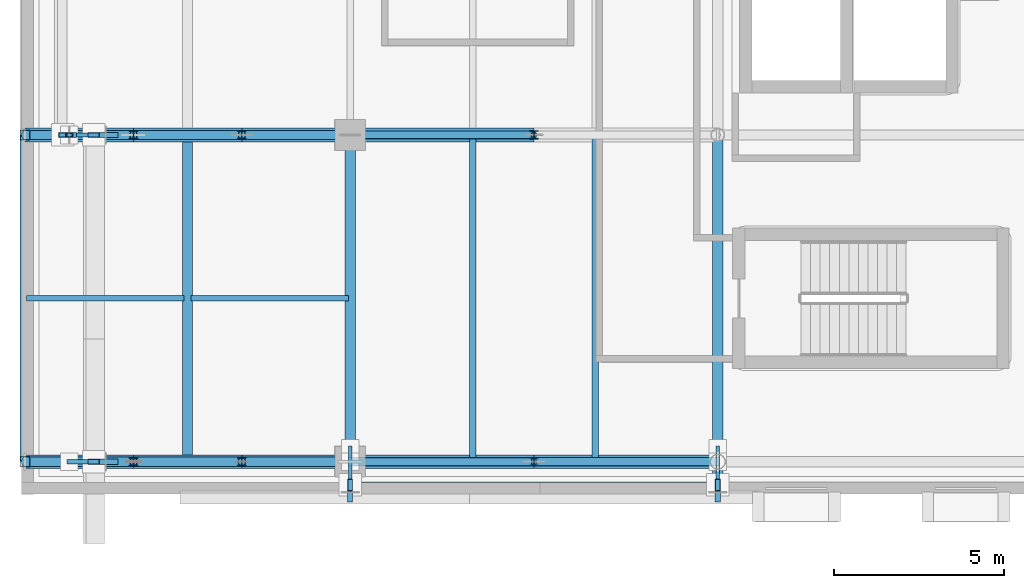
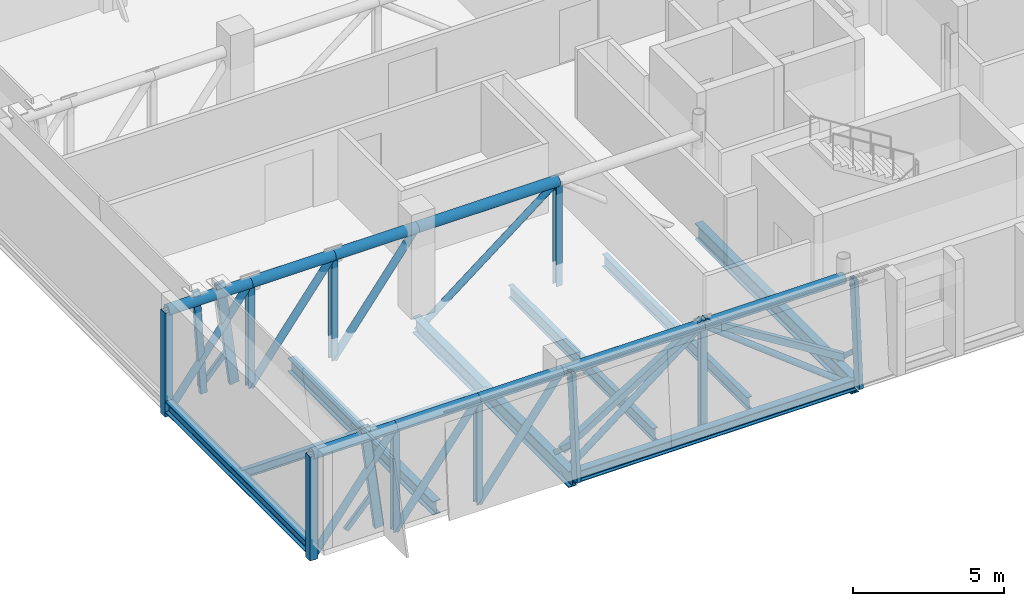
# One storey, part 10 of 89: 38 members, 9 beams.
"""IFC4 building model written with IfcOpenShell, lengths in metres."""

import ifcopenshell
import ifcopenshell.guid

model = None  # the IFC model being written
_history = None  # IfcOwnerHistory: only IFC2X3 demands one
_inside = {}  # id of a spatial element -> (the spatial element, [elements in it])
_under = {}  # id of a project, library or spatial element -> (it, [spatial elements below it])
_declared = {}  # id of a project -> (the project, [libraries it declares])
_typed = {}  # id of a type object -> (the type object, [elements of that type])
_made_of = {}  # id of a material, layer set ... -> (it, [elements and type objects made of it])


def new_model(schema):
    """Start an empty IFC model of exactly this schema.

    Asked for "IFC4X3", IfcOpenShell would pick the latest addendum, in which some entities
    have other attributes; the version numbers below select the first issue.
    IFC2X3 requires an IfcOwnerHistory on every rooted entity: one is made here for all.
    """
    global model, _history
    if schema == "IFC4X3":
        model = ifcopenshell.file(schema_version=(4, 3, 0, 0))
    else:
        model = ifcopenshell.file(schema=schema)
    _inside.clear()
    _under.clear()
    _declared.clear()
    _typed.clear()
    _made_of.clear()
    _history = None
    if model.schema == "IFC2X3":
        org = make("IfcOrganization", Name="unknown")
        user = make(
            "IfcPersonAndOrganization",
            ThePerson=make("IfcPerson", FamilyName="unknown"),
            TheOrganization=org,
        )
        app = make(
            "IfcApplication",
            ApplicationDeveloper=org,
            Version="unknown",
            ApplicationFullName="unknown",
            ApplicationIdentifier="unknown",
        )
        _history = make(
            "IfcOwnerHistory",
            OwningUser=user,
            OwningApplication=app,
            ChangeAction="ADDED",
            CreationDate=0,
        )
    return model


def make(cls, **values):
    """One entity of the class cls with the attributes given. An attribute that is None is left unset."""
    return model.create_entity(
        cls, **{name: value for name, value in values.items() if value is not None}
    )


def rooted(cls, **values):
    """An entity with a GlobalId (a new one), such as an element, a storey or a relation."""
    return make(cls, GlobalId=ifcopenshell.guid.new(), OwnerHistory=_history, **values)


def si_unit(unit_type, name, prefix=None):
    """IfcSIUnit, for example si_unit("LENGTHUNIT", "METRE", prefix="MILLI")."""
    return make("IfcSIUnit", UnitType=unit_type, Prefix=prefix, Name=name)


def assignment(units):
    """IfcUnitAssignment: the units of a project."""
    return None if units is None else make("IfcUnitAssignment", Units=units)


def point(xyz):
    """IfcCartesianPoint."""
    return None if xyz is None else make("IfcCartesianPoint", Coordinates=xyz)


def direction(xyz):
    """IfcDirection."""
    return None if xyz is None else make("IfcDirection", DirectionRatios=xyz)


def frame(location, z_axis=None, x_axis=None):
    """IfcAxis2Placement3D, a coordinate frame: its origin and axes. An axis left out is left unset."""
    return make(
        "IfcAxis2Placement3D",
        Location=point(location),
        Axis=direction(z_axis),
        RefDirection=direction(x_axis),
    )


def frame_2d(location, x_axis=None):
    """IfcAxis2Placement2D, a coordinate frame in the plane: its origin and x axis."""
    return make(
        "IfcAxis2Placement2D", Location=point(location), RefDirection=direction(x_axis)
    )


def origin():
    """The frame at (0, 0, 0) with its axes left unset."""
    return frame((0.0, 0.0, 0.0))


def origin_2d():
    """The frame at (0, 0) in the plane with its x axis left unset."""
    return frame_2d((0.0, 0.0))


def place(relative_to, where):
    """IfcLocalPlacement: puts the frame where relative to a parent placement (None: the world)."""
    return make(
        "IfcLocalPlacement", PlacementRelTo=relative_to, RelativePlacement=where
    )


def context(
    kind, dimensions, precision=None, world=None, true_north=None, identifier=None
):
    """IfcGeometricRepresentationContext, for example the 3D "Model" context."""
    return make(
        "IfcGeometricRepresentationContext",
        ContextIdentifier=identifier,
        ContextType=kind,
        CoordinateSpaceDimension=dimensions,
        Precision=precision,
        WorldCoordinateSystem=world,
        TrueNorth=true_north,
    )


def subcontext(parent, identifier, kind, view, scale=None):
    """IfcGeometricRepresentationSubContext, for example "Body" below "Model"."""
    return make(
        "IfcGeometricRepresentationSubContext",
        ContextIdentifier=identifier,
        ContextType=kind,
        ParentContext=parent,
        TargetScale=scale,
        TargetView=view,
    )


def project(units=None, contexts=None):
    """IfcProject with its units and contexts."""
    return rooted(
        "IfcProject",
        Name="project",
        RepresentationContexts=contexts,
        UnitsInContext=assignment(units),
    )


def spatial(cls, under=None, at=None, **own):
    """A site, building, storey or space (cls), placed at a placement, below another one or the project."""
    s = rooted(cls, ObjectPlacement=at, **own)
    if under is not None:
        _under.setdefault(under.id(), (under, []))[1].append(s)
    return s


def profile(cls, at=None, kind="AREA", **sizes):
    """A parametric profile (cls). Its sizes go by their IFC names, for example OverallWidth=200.0."""
    return make(cls, ProfileType=kind, Position=at, **sizes)


def hollow_rectangle(**sizes):
    """IfcRectangleHollowProfileDef."""
    return profile("IfcRectangleHollowProfileDef", **sizes)


def hollow_circle(**sizes):
    """IfcCircleHollowProfileDef."""
    return profile("IfcCircleHollowProfileDef", **sizes)


def i_section(**sizes):
    """IfcIShapeProfileDef."""
    return profile("IfcIShapeProfileDef", **sizes)


def extrude(swept, where, along, depth):
    """IfcExtrudedAreaSolid: the profile swept, set in the frame where, extruded along a direction by depth."""
    return make(
        "IfcExtrudedAreaSolid",
        SweptArea=swept,
        Position=where,
        ExtrudedDirection=direction(along),
        Depth=depth,
    )


def shape(context_of_items, identifier, shape_type, items):
    """IfcShapeRepresentation: the items that make up one representation, for example the "Body"."""
    return make(
        "IfcShapeRepresentation",
        ContextOfItems=context_of_items,
        RepresentationIdentifier=identifier,
        RepresentationType=shape_type,
        Items=items,
    )


def material(Name=None, Category=None):
    """IfcMaterial."""
    return make("IfcMaterial", Name=Name, Category=Category)


def material_profile(
    of_material, cross_section, Name=None, Category=None, Priority=None
):
    """IfcMaterialProfile: a cross section and its material."""
    return make(
        "IfcMaterialProfile",
        Name=Name,
        Material=of_material,
        Profile=cross_section,
        Priority=Priority,
        Category=Category,
    )


def profile_set(profiles, Name=None, composite=None):
    """IfcMaterialProfileSet."""
    return make(
        "IfcMaterialProfileSet",
        Name=Name,
        MaterialProfiles=profiles,
        CompositeProfile=composite,
    )


def made_of(thing, what):
    """Note that an element or type object is made of a material, layer set ...; save() writes the relation."""
    if what is not None:
        _made_of.setdefault(what.id(), (what, []))[1].append(thing)
    return thing


def type_object(cls, material=None, **own):
    """A type object (cls), such as IfcWallType, which elements share."""
    return made_of(rooted(cls, **own), material)


def element(
    cls,
    number,
    at=None,
    inside=None,
    cuts=None,
    type_object=None,
    material=None,
    context=None,
    identifier="Body",
    shape_type=None,
    held_by="IfcProductDefinitionShape",
    body=None,
    shapes=None,
    **own,
):
    """One element of the class cls, such as IfcWall. Its Tag is "e" and its number.

    at: its placement. inside: the storey or other place that contains it. cuts: it is an
    opening in that element (IfcRelVoidsElement). A single representation is given by context,
    identifier, shape_type and body (its items); several are given by shapes. held_by: the class
    of the entity that holds the representations. save() writes the other relations.
    """
    e = rooted(cls, Tag="e%d" % number, ObjectPlacement=at, **own)
    if body is not None:
        shapes = [shape(context, identifier, shape_type, body)]
    if shapes is not None:
        e.Representation = make(held_by, Representations=shapes)
    if inside is not None:
        _inside.setdefault(inside.id(), (inside, []))[1].append(e)
    if cuts is not None:
        rooted(
            "IfcRelVoidsElement", RelatingBuildingElement=cuts, RelatedOpeningElement=e
        )
    if type_object is not None:
        _typed.setdefault(type_object.id(), (type_object, []))[1].append(e)
    return made_of(e, material)


def aggregate(whole, parts):
    """IfcRelAggregates: a whole, such as a stair, and the parts it consists of."""
    return rooted("IfcRelAggregates", RelatingObject=whole, RelatedObjects=parts)


def save(model, path):
    """Write the relations noted so far, then the file.

    IfcRelAggregates (storeys below a building ...), IfcRelContainedInSpatialStructure (elements
    in a storey), IfcRelDefinesByType, IfcRelAssociatesMaterial and IfcRelDeclares: one each for
    every whole, place, type object, material and project.
    """
    for whole, parts in _under.values():
        aggregate(whole, parts)
    for where, things in _inside.values():
        rooted(
            "IfcRelContainedInSpatialStructure",
            RelatedElements=things,
            RelatingStructure=where,
        )
    for kind, things in _typed.values():
        rooted("IfcRelDefinesByType", RelatedObjects=things, RelatingType=kind)
    for what, things in _made_of.values():
        rooted("IfcRelAssociatesMaterial", RelatedObjects=things, RelatingMaterial=what)
    for by, libraries in _declared.values():
        rooted("IfcRelDeclares", RelatingContext=by, RelatedDefinitions=libraries)
    model.write(path)


model = new_model("IFC4")

# Units and contexts
model_context = context("Model", 3, precision=1e-05, world=origin(), true_north=direction((0.0, 1.0)))
body_context = subcontext(model_context, "Body", "Model", "MODEL_VIEW")
ifc_project = project(units=[si_unit("LENGTHUNIT", "METRE"), si_unit("AREAUNIT", "SQUARE_METRE"), si_unit("VOLUMEUNIT", "CUBIC_METRE"), si_unit("PLANEANGLEUNIT", "RADIAN"), si_unit("MASSUNIT", "GRAM", prefix="KILO")], contexts=[model_context])

# Site, building, storey
site_placement = place(None, origin())
site = spatial("IfcSite", under=ifc_project, at=site_placement, CompositionType="ELEMENT")
building_placement = place(site_placement, origin())
building = spatial("IfcBuilding", under=site, at=building_placement, Name="Zereglee Splitstone Museum", CompositionType="ELEMENT")
storey_placement = place(building_placement, frame((0.0, 0.0, 21.300048828125)))
storey = spatial("IfcBuildingStorey", under=building, at=storey_placement, Name="L04", CompositionType="ELEMENT", Elevation=21.300048828125)

# Members
ifc_material_1 = material(Name="Steel S355J2H", Category="steel")
ifc_material_profile_1 = material_profile(ifc_material_1, hollow_circle(Radius=0.122314453125, WallThickness=0.012451171875, at=origin_2d()), Name="CHS 244.5x12.5")
ifc_profile_set_1 = profile_set([ifc_material_profile_1], Name="Steel S355J2H")
member_type_1 = type_object("IfcMemberType", Name="TB-02", PredefinedType="BRACE", material=ifc_profile_set_1)
for number, where, z_axis, x_axis, name in (
    (1, (9.60009765625, 0.0, -0.900146484375), (0.78933300072, 0.0, 0.613965319847), (0.0, 1.0, 0.0), "Cantilever Truss CT-01 Web Brace L04-4"),
    (2, (20.39990234375, 0.0, -0.900146484375), (-0.78933300072, 0.0, 0.613965319847), (0.0, -1.0, 0.0), "Cantilever Truss CT-01 Web Brace L04-5"),
    (3, (9.60009765625, 9.60009765625, -0.900146484375), (0.78933300072, 0.0, 0.613965319847), (0.0, 1.0, 0.0), "Cantilever Truss CT-02 Web Brace L04-4"),
):
    element("IfcMember", number, at=place(storey_placement, frame(where, z_axis=z_axis, x_axis=x_axis)), inside=storey, type_object=member_type_1, Name=name, PredefinedType="BRACE", context=body_context, shape_type="SweptSolid", body=[
        extrude(hollow_circle(Radius=0.122314453125, WallThickness=0.012451171875, at=origin_2d()), origin(), (0.0, 0.0, 1.0), 6.841064453125),
    ])
ifc_material_profile_2 = material_profile(ifc_material_1, hollow_circle(Radius=0.136474609375, WallThickness=0.012451171875, at=origin_2d()), Name="CHS 273.0x12.5")
ifc_profile_set_2 = profile_set([ifc_material_profile_2], Name="Steel S355J2H")
member_type_2 = type_object("IfcMemberType", Name="TB-01", PredefinedType="BRACE", material=ifc_profile_set_2)
for number, where, z_axis, x_axis, name in (
    (4, (0.050048828125, 0.0, -0.900146484375), (0.604024459, 0.0, 0.79696577902), (0.0, 1.0, 0.0), "Cantilever Truss CT-01 Web Brace L04-1"),
    (5, (3.2333984375, 0.0, -0.900146484375), (0.604024459, 0.0, 0.79696577902), (0.0, 1.0, 0.0), "Cantilever Truss CT-01 Web Brace L04-2"),
    (6, (6.416748046875, 0.0, -0.900146484375), (0.604024459, 0.0, 0.79696577902), (0.0, 1.0, 0.0), "Cantilever Truss CT-01 Web Brace L04-3"),
    (7, (0.050048828125, 9.60009765625, -0.900146484375), (0.604024459, 0.0, 0.79696577902), (0.0, 1.0, 0.0), "Cantilever Truss CT-02 Web Brace L04-1"),
    (8, (3.2333984375, 9.60009765625, -0.900146484375), (0.604024459, 0.0, 0.79696577902), (0.0, 1.0, 0.0), "Cantilever Truss CT-02 Web Brace L04-2"),
    (9, (6.416748046875, 9.60009765625, -0.900146484375), (0.604024459, 0.0, 0.79696577902), (0.0, 1.0, 0.0), "Cantilever Truss CT-02 Web Brace L04-3"),
):
    element("IfcMember", number, at=place(storey_placement, frame(where, z_axis=z_axis, x_axis=x_axis)), inside=storey, type_object=member_type_2, Name=name, PredefinedType="BRACE", context=body_context, shape_type="SweptSolid", body=[
        extrude(hollow_circle(Radius=0.136474609375, WallThickness=0.012451171875, at=origin_2d()), origin(), (0.0, 0.0, 1.0), 5.270263671875),
    ])
ifc_material_profile_3 = material_profile(ifc_material_1, hollow_rectangle(XDim=0.25, YDim=0.25, WallThickness=0.012451171875, at=origin_2d()), Name="SHS 250x250x12.5")
ifc_profile_set_3 = profile_set([ifc_material_profile_3], Name="Steel S355J2H")
member_type_3 = type_object("IfcMemberType", Name="TB-06", PredefinedType="BRACE", material=ifc_profile_set_3)
for number, where, z_axis, x_axis, name in (
    (10, (9.60009765625, 0.0, 0.119873046875), (0.849044741702, 0.0, 0.528320950359), (0.0, 1.0, 0.0), "Lateral Braced Frame Chevron L04-004A"),
    (11, (20.39990234375, 0.0, 0.119873046875), (-0.849044741702, 0.0, 0.528320950359), (0.0, -1.0, 0.0), "Lateral Braced Frame Chevron L04-004B"),
):
    element("IfcMember", number, at=place(storey_placement, frame(where, z_axis=z_axis, x_axis=x_axis)), inside=storey, type_object=member_type_3, Name=name, PredefinedType="BRACE", context=body_context, shape_type="SweptSolid", body=[
        extrude(hollow_rectangle(XDim=0.25, YDim=0.25, WallThickness=0.012451171875, at=origin_2d()), origin(), (0.0, 0.0, 1.0), 6.35986328125),
    ])
ifc_material_profile_4 = material_profile(ifc_material_1, hollow_circle(Radius=0.203125, WallThickness=0.02001953125, at=origin_2d()), Name="CHS 406.4x20")
ifc_profile_set_4 = profile_set([ifc_material_profile_4], Name="Steel S355J2H")
member_type_4 = type_object("IfcMemberType", Name="TC-03", PredefinedType="CHORD", material=ifc_profile_set_4)
for number, where, z_axis, x_axis, name in (
    (12, (0.050048828125, 0.0, 3.300048828125), (1.0, 0.0, 0.0), (0.0, 1.0, 0.0), "Cantilever Truss CT-01 Top Chord L04-1"),
    (13, (3.2333984375, 0.0, 3.300048828125), (1.0, 0.0, 0.0), (0.0, 1.0, 0.0), "Cantilever Truss CT-01 Top Chord L04-2"),
    (14, (6.416748046875, 0.0, 3.300048828125), (1.0, 0.0, 0.0), (0.0, 1.0, 0.0), "Cantilever Truss CT-01 Top Chord L04-3"),
):
    element("IfcMember", number, at=place(storey_placement, frame(where, z_axis=z_axis, x_axis=x_axis)), inside=storey, type_object=member_type_4, Name=name, PredefinedType="CHORD", context=body_context, shape_type="SweptSolid", body=[
        extrude(hollow_circle(Radius=0.203125, WallThickness=0.02001953125, at=origin_2d()), origin(), (0.0, 0.0, 1.0), 3.183349609375),
    ])
for number, where, z_axis, x_axis, name in (
    (15, (9.60009765625, 0.0, 3.300048828125), (1.0, 0.0, 0.0), (0.0, 1.0, 0.0), "Cantilever Truss CT-01 Top Chord L04-4"),
    (16, (15.0, 0.0, 3.300048828125), (1.0, 0.0, 0.0), (0.0, 1.0, 0.0), "Cantilever Truss CT-01 Top Chord L04-5"),
):
    element("IfcMember", number, at=place(storey_placement, frame(where, z_axis=z_axis, x_axis=x_axis)), inside=storey, type_object=member_type_4, Name=name, PredefinedType="CHORD", context=body_context, shape_type="SweptSolid", body=[
        extrude(hollow_circle(Radius=0.203125, WallThickness=0.02001953125, at=origin_2d()), origin(), (0.0, 0.0, 1.0), 5.39990234375),
    ])
for number, where, z_axis, x_axis, name in (
    (17, (0.050048828125, 9.60009765625, 3.300048828125), (1.0, 0.0, 0.0), (0.0, 1.0, 0.0), "Cantilever Truss CT-02 Top Chord L04-1"),
    (18, (3.2333984375, 9.60009765625, 3.300048828125), (1.0, 0.0, 0.0), (0.0, 1.0, 0.0), "Cantilever Truss CT-02 Top Chord L04-2"),
    (19, (6.416748046875, 9.60009765625, 3.300048828125), (1.0, 0.0, 0.0), (0.0, 1.0, 0.0), "Cantilever Truss CT-02 Top Chord L04-3"),
):
    element("IfcMember", number, at=place(storey_placement, frame(where, z_axis=z_axis, x_axis=x_axis)), inside=storey, type_object=member_type_4, Name=name, PredefinedType="CHORD", context=body_context, shape_type="SweptSolid", body=[
        extrude(hollow_circle(Radius=0.203125, WallThickness=0.02001953125, at=origin_2d()), origin(), (0.0, 0.0, 1.0), 3.183349609375),
    ])
member_1_placement = place(storey_placement, frame((9.60009765625, 9.60009765625, 3.300048828125), z_axis=(1.0, 0.0, 0.0), x_axis=(0.0, 1.0, 0.0)))
element("IfcMember", 20, at=member_1_placement, inside=storey, type_object=member_type_4, Name="Cantilever Truss CT-02 Top Chord L04-4", PredefinedType="CHORD", context=body_context, shape_type="SweptSolid", body=[
    extrude(hollow_circle(Radius=0.203125, WallThickness=0.02001953125, at=origin_2d()), origin(), (0.0, 0.0, 1.0), 5.39990234375),
])

# Beams
ifc_material_2 = material(Name="Steel S355J2", Category="steel")
ifc_material_profile_5 = material_profile(ifc_material_2, i_section(OverallWidth=0.300048828125, OverallDepth=0.550048828125, WebThickness=0.014892578125, FlangeThickness=0.029052734375, FilletRadius=0.027099609375, at=origin_2d()), Name="HE 550 B")
ifc_profile_set_5 = profile_set([ifc_material_profile_5], Name="Steel S355J2")
beam_type_1 = type_object("IfcBeamType", Name="BG-11", PredefinedType="BEAM", material=ifc_profile_set_5)
beam_1_placement = place(storey_placement, frame((4.824951171875, 0.0, -0.53515625), z_axis=(0.0, 1.0, 0.0), x_axis=(-1.0, 0.0, 0.0)))
element("IfcBeam", 21, at=beam_1_placement, inside=storey, type_object=beam_type_1, Name="Cantilever Transverse Girder L04 X=4.83", PredefinedType="BEAM", context=body_context, shape_type="SweptSolid", body=[
    extrude(i_section(OverallWidth=0.300048828125, OverallDepth=0.550048828125, WebThickness=0.014892578125, FlangeThickness=0.029052734375, FilletRadius=0.027099609375, at=origin_2d()), origin(), (0.0, 0.0, 1.0), 9.60009765625),
])
ifc_material_profile_6 = material_profile(ifc_material_2, i_section(OverallWidth=0.300048828125, OverallDepth=0.64990234375, WebThickness=0.01611328125, FlangeThickness=0.031005859375, FilletRadius=0.027099609375, at=origin_2d()), Name="HE 650 B")
ifc_profile_set_6 = profile_set([ifc_material_profile_6], Name="Steel S355J2")
beam_type_2 = type_object("IfcBeamType", Name="BG-09", PredefinedType="BEAM", material=ifc_profile_set_6)
for number, where, z_axis, x_axis, name in (
    (22, (9.60009765625, -0.75, -0.5849609375), (0.0, 1.0, 0.0), (-1.0, 0.0, 0.0), "Primary Girder L04 2 (-0.8-9.6)"),
    (23, (20.39990234375, -0.75, -0.5849609375), (0.0, 1.0, 0.0), (-1.0, 0.0, 0.0), "Primary Girder L04 4 (-0.8-9.6)"),
):
    element("IfcBeam", number, at=place(storey_placement, frame(where, z_axis=z_axis, x_axis=x_axis)), inside=storey, type_object=beam_type_2, Name=name, PredefinedType="BEAM", context=body_context, shape_type="SweptSolid", body=[
        extrude(i_section(OverallWidth=0.300048828125, OverallDepth=0.64990234375, WebThickness=0.01611328125, FlangeThickness=0.031005859375, FilletRadius=0.027099609375, at=origin_2d()), origin(), (0.0, 0.0, 1.0), 10.35009765625),
    ])
ifc_material_profile_7 = material_profile(ifc_material_2, i_section(OverallWidth=0.169921875, OverallDepth=0.360107421875, WebThickness=0.008056640625, FlangeThickness=0.0126953125, FilletRadius=0.01806640625, at=origin_2d()), Name="IPE 360")
ifc_profile_set_7 = profile_set([ifc_material_profile_7], Name="Steel S355J2")
beam_type_3 = type_object("IfcBeamType", Name="BJ-04", PredefinedType="JOIST", material=ifc_profile_set_7)
beam_2_placement = place(storey_placement, frame((0.090087890625, 4.800048828125, -0.43994140625), z_axis=(1.0, 0.0, 0.0), x_axis=(0.0, 1.0, 0.0)))
element("IfcBeam", 24, at=beam_2_placement, inside=storey, type_object=beam_type_3, Name="Cantilever Floor Joist L04-1636", PredefinedType="JOIST", context=body_context, shape_type="SweptSolid", body=[
    extrude(i_section(OverallWidth=0.169921875, OverallDepth=0.360107421875, WebThickness=0.008056640625, FlangeThickness=0.0126953125, FilletRadius=0.01806640625, at=origin_2d()), origin(), (0.0, 0.0, 1.0), 4.635009765625),
])
beam_3_placement = place(storey_placement, frame((4.925048828125, 4.800048828125, -0.43994140625), z_axis=(1.0, 0.0, 0.0), x_axis=(0.0, 1.0, 0.0)))
element("IfcBeam", 25, at=beam_3_placement, inside=storey, type_object=beam_type_3, Name="Cantilever Floor Joist L04-1637", PredefinedType="JOIST", context=body_context, shape_type="SweptSolid", body=[
    extrude(i_section(OverallWidth=0.169921875, OverallDepth=0.360107421875, WebThickness=0.008056640625, FlangeThickness=0.0126953125, FilletRadius=0.01806640625, at=origin_2d()), origin(), (0.0, 0.0, 1.0), 4.625),
])
ifc_material_profile_8 = material_profile(ifc_material_2, i_section(OverallWidth=0.199951171875, OverallDepth=0.5, WebThickness=0.01025390625, FlangeThickness=0.01611328125, FilletRadius=0.02099609375, at=origin_2d()), Name="IPE 500")
ifc_profile_set_8 = profile_set([ifc_material_profile_8], Name="Steel S355J2")
beam_type_4 = type_object("IfcBeamType", Name="BJ-01", PredefinedType="JOIST", material=ifc_profile_set_8)
for number, where, z_axis, x_axis, name in (
    (26, (13.199951171875, 0.0, -0.510009765625), (0.0, 1.0, 0.0), (-1.0, 0.0, 0.0), "Secondary Floor Joist L04-1499"),
    (27, (16.800048828125, 0.0, -0.510009765625), (0.0, 1.0, 0.0), (-1.0, 0.0, 0.0), "Secondary Floor Joist L04-1500"),
):
    element("IfcBeam", number, at=place(storey_placement, frame(where, z_axis=z_axis, x_axis=x_axis)), inside=storey, type_object=beam_type_4, Name=name, PredefinedType="JOIST", context=body_context, shape_type="SweptSolid", body=[
        extrude(i_section(OverallWidth=0.199951171875, OverallDepth=0.5, WebThickness=0.01025390625, FlangeThickness=0.01611328125, FilletRadius=0.02099609375, at=origin_2d()), origin(), (0.0, 0.0, 1.0), 9.60009765625),
    ])

# Members
ifc_material_profile_9 = material_profile(ifc_material_2, i_section(OverallWidth=0.239990234375, OverallDepth=0.239990234375, WebThickness=0.010009765625, FlangeThickness=0.01708984375, FilletRadius=0.02099609375, at=origin_2d()), Name="HE 240 B")
ifc_profile_set_9 = profile_set([ifc_material_profile_9], Name="Steel S355J2")
member_type_5 = type_object("IfcMemberType", Name="TP-02", PredefinedType="POST", material=ifc_profile_set_9)
for number, where, z_axis, x_axis, name in (
    (28, (3.2333984375, 0.0, -0.900146484375), (0.0, 0.0, 1.0), (1.0, 0.0, 0.0), "Cantilever Truss CT-01 Post L04-2"),
    (29, (6.416748046875, 0.0, -0.900146484375), (0.0, 0.0, 1.0), (1.0, 0.0, 0.0), "Cantilever Truss CT-01 Post L04-3"),
    (30, (15.0, 0.0, -0.900146484375), (0.0, 0.0, 1.0), (1.0, 0.0, 0.0), "Cantilever Truss CT-01 Post L04-4"),
    (31, (3.2333984375, 9.60009765625, -0.900146484375), (0.0, 0.0, 1.0), (1.0, 0.0, 0.0), "Cantilever Truss CT-02 Post L04-2"),
    (32, (6.416748046875, 9.60009765625, -0.900146484375), (0.0, 0.0, 1.0), (1.0, 0.0, 0.0), "Cantilever Truss CT-02 Post L04-3"),
    (33, (15.0, 9.60009765625, -0.900146484375), (0.0, 0.0, 1.0), (1.0, 0.0, 0.0), "Cantilever Truss CT-02 Post L04-4"),
):
    element("IfcMember", number, at=place(storey_placement, frame(where, z_axis=z_axis, x_axis=x_axis)), inside=storey, type_object=member_type_5, Name=name, PredefinedType="POST", context=body_context, shape_type="SweptSolid", body=[
        extrude(i_section(OverallWidth=0.239990234375, OverallDepth=0.239990234375, WebThickness=0.010009765625, FlangeThickness=0.01708984375, FilletRadius=0.02099609375, at=origin_2d()), origin(), (0.0, 0.0, 1.0), 4.2001953125),
    ])
ifc_material_profile_10 = material_profile(ifc_material_1, hollow_rectangle(XDim=0.300048828125, YDim=0.300048828125, WallThickness=0.01611328125, at=origin_2d()), Name="SHS 300x300x16")
ifc_profile_set_10 = profile_set([ifc_material_profile_10], Name="Steel S355J2H")
member_type_6 = type_object("IfcMemberType", Name="TP-01", PredefinedType="POST", material=ifc_profile_set_10)
for number, where, z_axis, x_axis, name in (
    (34, (0.050048828125, 0.0, -0.900146484375), (0.0, 0.0, 1.0), (1.0, 0.0, 0.0), "Cantilever Truss CT-01 Post L04-1"),
    (35, (0.050048828125, 9.60009765625, -0.900146484375), (0.0, 0.0, 1.0), (1.0, 0.0, 0.0), "Cantilever Truss CT-02 Post L04-1"),
):
    element("IfcMember", number, at=place(storey_placement, frame(where, z_axis=z_axis, x_axis=x_axis)), inside=storey, type_object=member_type_6, Name=name, PredefinedType="POST", context=body_context, shape_type="SweptSolid", body=[
        extrude(hollow_rectangle(XDim=0.300048828125, YDim=0.300048828125, WallThickness=0.01611328125, at=origin_2d()), origin(), (0.0, 0.0, 1.0), 4.2001953125),
    ])

# Beams
ifc_material_profile_11 = material_profile(ifc_material_2, i_section(OverallWidth=0.300048828125, OverallDepth=0.449951171875, WebThickness=0.013916015625, FlangeThickness=0.02587890625, FilletRadius=0.027099609375, at=origin_2d()), Name="HE 450 B")
ifc_profile_set_11 = profile_set([ifc_material_profile_11], Name="Steel S355J2")
beam_type_5 = type_object("IfcBeamType", Name="SP-02", PredefinedType="SPANDREL", material=ifc_profile_set_11)
beam_4_placement = place(storey_placement, frame((9.60009765625, -0.75, -0.485107421875), z_axis=(1.0, 0.0, 0.0), x_axis=(0.0, 1.0, 0.0)))
element("IfcBeam", 36, at=beam_4_placement, inside=storey, type_object=beam_type_5, Name="Hovering Soffit Spandrel L04 (9.6-20.4)", PredefinedType="SPANDREL", context=body_context, shape_type="SweptSolid", body=[
    extrude(i_section(OverallWidth=0.300048828125, OverallDepth=0.449951171875, WebThickness=0.013916015625, FlangeThickness=0.02587890625, FilletRadius=0.027099609375, at=origin_2d()), origin(), (0.0, 0.0, 1.0), 10.7998046875),
])
beam_5_placement = place(storey_placement, frame((0.050048828125, 0.0, -0.485107421875), z_axis=(0.0, 1.0, 0.0), x_axis=(-1.0, 0.0, 0.0)))
element("IfcBeam", 37, at=beam_5_placement, inside=storey, type_object=beam_type_5, Name="Cantilever Transverse Girder L04 X=0.05", PredefinedType="SPANDREL", context=body_context, shape_type="SweptSolid", body=[
    extrude(i_section(OverallWidth=0.300048828125, OverallDepth=0.449951171875, WebThickness=0.013916015625, FlangeThickness=0.02587890625, FilletRadius=0.027099609375, at=origin_2d()), origin(), (0.0, 0.0, 1.0), 9.60009765625),
])

# Members
ifc_material_profile_12 = material_profile(ifc_material_1, hollow_rectangle(XDim=0.14990234375, YDim=0.25, WallThickness=0.010009765625, at=origin_2d()), Name="RHS 250x150x10")
ifc_profile_set_12 = profile_set([ifc_material_profile_12], Name="Steel S355J2H")
member_type_7 = type_object("IfcMemberType", Name="FS-R2", PredefinedType="STRUT", material=ifc_profile_set_12)
member_2_placement = place(storey_placement, frame((1.440185546875, 9.60009765625, -0.510009765625), z_axis=(-0.06775164097, 0.0, 0.997702217671), x_axis=(0.0, -1.0, 0.0)))
element("IfcMember", 38, at=member_2_placement, inside=storey, type_object=member_type_7, Name="Split-Rock Continuous Facet Strut FH-V1W-M L04-01", PredefinedType="STRUT", context=body_context, shape_type="SweptSolid", body=[
    extrude(hollow_rectangle(XDim=0.14990234375, YDim=0.25, WallThickness=0.010009765625, at=origin_2d()), origin(), (0.0, 0.0, 1.0), 4.2197265625),
])
ifc_material_profile_13 = material_profile(ifc_material_1, hollow_rectangle(XDim=0.14990234375, YDim=0.35009765625, WallThickness=0.012451171875, at=origin_2d()), Name="RHS 350x150x12.5")
ifc_profile_set_13 = profile_set([ifc_material_profile_13], Name="Steel S355J2H")
member_type_8 = type_object("IfcMemberType", Name="FS-R0", PredefinedType="STRUT", material=ifc_profile_set_13)
for number, where, z_axis, x_axis, name in (
    (39, (2.61083984375, 0.0, -0.510009765625), (-0.128422052861, 0.0, 0.991719605705), (0.0, -1.0, 0.0), "Split-Rock Continuous Facet Strut FH-V1W-S L04-01"),
    (40, (2.61083984375, 9.60009765625, -0.510009765625), (-0.128422052861, 0.0, 0.991719605705), (0.0, -1.0, 0.0), "Split-Rock Continuous Facet Strut FH-V1W-S L04-02"),
):
    element("IfcMember", number, at=place(storey_placement, frame(where, z_axis=z_axis, x_axis=x_axis)), inside=storey, type_object=member_type_8, Name=name, PredefinedType="STRUT", context=body_context, shape_type="SweptSolid", body=[
        extrude(hollow_rectangle(XDim=0.14990234375, YDim=0.35009765625, WallThickness=0.012451171875, at=origin_2d()), origin(), (0.0, 0.0, 1.0), 4.2451171875),
    ])
for number, where, z_axis, x_axis, name in (
    (41, (9.60009765625, -1.006591796875, -0.510009765625), (0.0, 0.076842407827, 0.997043250997), (-1.0, 0.0, 0.0), "Split-Rock Continuous Facet Strut FH-V1S-W L04-01"),
    (42, (20.39990234375, -1.006591796875, -0.510009765625), (0.0, 0.076842407827, 0.997043250997), (-1.0, 0.0, 0.0), "Split-Rock Continuous Facet Strut FH-V1S-W L04-02"),
):
    element("IfcMember", number, at=place(storey_placement, frame(where, z_axis=z_axis, x_axis=x_axis)), inside=storey, type_object=member_type_8, Name=name, PredefinedType="STRUT", context=body_context, shape_type="SweptSolid", body=[
        extrude(hollow_rectangle(XDim=0.14990234375, YDim=0.35009765625, WallThickness=0.012451171875, at=origin_2d()), origin(), (0.0, 0.0, 1.0), 4.222412109375),
    ])
ifc_material_profile_14 = material_profile(ifc_material_1, hollow_rectangle(XDim=0.10009765625, YDim=0.179931640625, WallThickness=0.008056640625, at=origin_2d()), Name="RHS 180x100x8")
ifc_profile_set_14 = profile_set([ifc_material_profile_14], Name="Steel S355J2H")
member_type_9 = type_object("IfcMemberType", Name="FS-T2", PredefinedType="STRUT", material=ifc_profile_set_14)
for number, where, z_axis, x_axis, name in (
    (43, (9.60009765625, 0.39990234375, -0.219970703125), (0.0, -0.744807704972, 0.66727916393), (1.0, 0.0, 0.0), "Facet Tie-Back Strut FH-V1S-W L04-01"),
    (44, (20.39990234375, 0.39990234375, -0.219970703125), (0.0, -0.744807704972, 0.66727916393), (1.0, 0.0, 0.0), "Facet Tie-Back Strut FH-V1S-W L04-02"),
):
    element("IfcMember", number, at=place(storey_placement, frame(where, z_axis=z_axis, x_axis=x_axis)), inside=storey, type_object=member_type_9, Name=name, PredefinedType="STRUT", context=body_context, shape_type="SweptSolid", body=[
        extrude(hollow_rectangle(XDim=0.10009765625, YDim=0.179931640625, WallThickness=0.008056640625, at=origin_2d()), origin(), (0.0, 0.0, 1.0), 1.73828125),
    ])
ifc_material_profile_15 = material_profile(ifc_material_1, hollow_rectangle(XDim=0.1201171875, YDim=0.199951171875, WallThickness=0.008056640625, at=origin_2d()), Name="RHS 200x120x8")
ifc_profile_set_15 = profile_set([ifc_material_profile_15], Name="Steel S355J2H")
member_type_10 = type_object("IfcMemberType", Name="FS-T1", PredefinedType="STRUT", material=ifc_profile_set_15)
for number, where, z_axis, x_axis, name in (
    (45, (1.35009765625, 0.0, -0.219970703125), (0.679069042428, 0.0, 0.734074407411), (0.0, 1.0, 0.0), "Facet Tie-Back Strut FH-V1W-S L04-01"),
    (46, (1.35009765625, 9.60009765625, -0.219970703125), (0.679069042428, 0.0, 0.734074407411), (0.0, 1.0, 0.0), "Facet Tie-Back Strut FH-V1W-S L04-02"),
):
    element("IfcMember", number, at=place(storey_placement, frame(where, z_axis=z_axis, x_axis=x_axis)), inside=storey, type_object=member_type_10, Name=name, PredefinedType="STRUT", context=body_context, shape_type="SweptSolid", body=[
        extrude(hollow_rectangle(XDim=0.1201171875, YDim=0.199951171875, WallThickness=0.008056640625, at=origin_2d()), origin(), (0.0, 0.0, 1.0), 1.580078125),
    ])
member_3_placement = place(storey_placement, frame((1.35009765625, 9.60009765625, -0.219970703125), z_axis=(-0.007156204883, 0.0, 0.999974394038), x_axis=(0.0, -1.0, 0.0)))
element("IfcMember", 47, at=member_3_placement, inside=storey, type_object=member_type_10, Name="Facet Tie-Back Strut FH-V1W-M L04-01", PredefinedType="STRUT", context=body_context, shape_type="SweptSolid", body=[
    extrude(hollow_rectangle(XDim=0.1201171875, YDim=0.199951171875, WallThickness=0.008056640625, at=origin_2d()), origin(), (0.0, 0.0, 1.0), 1.159912109375),
])

save(model, "model.ifc")
